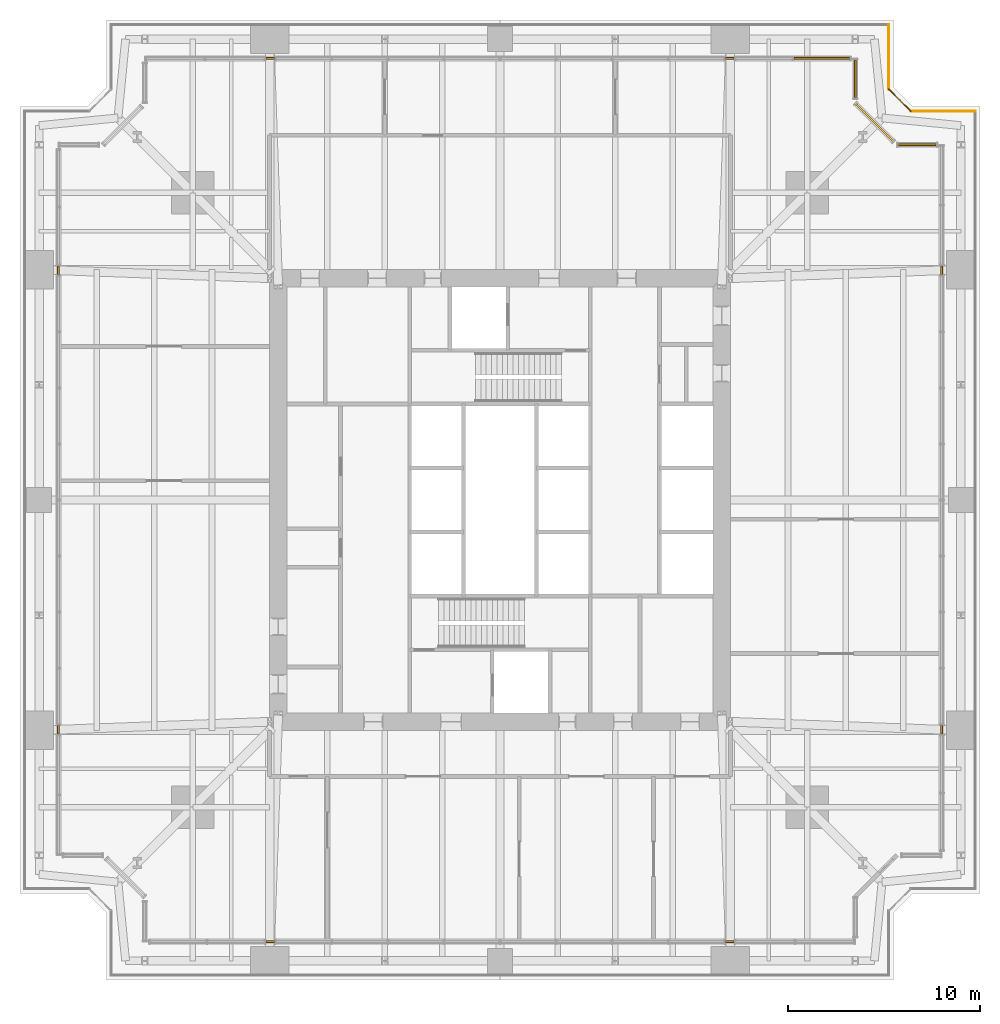
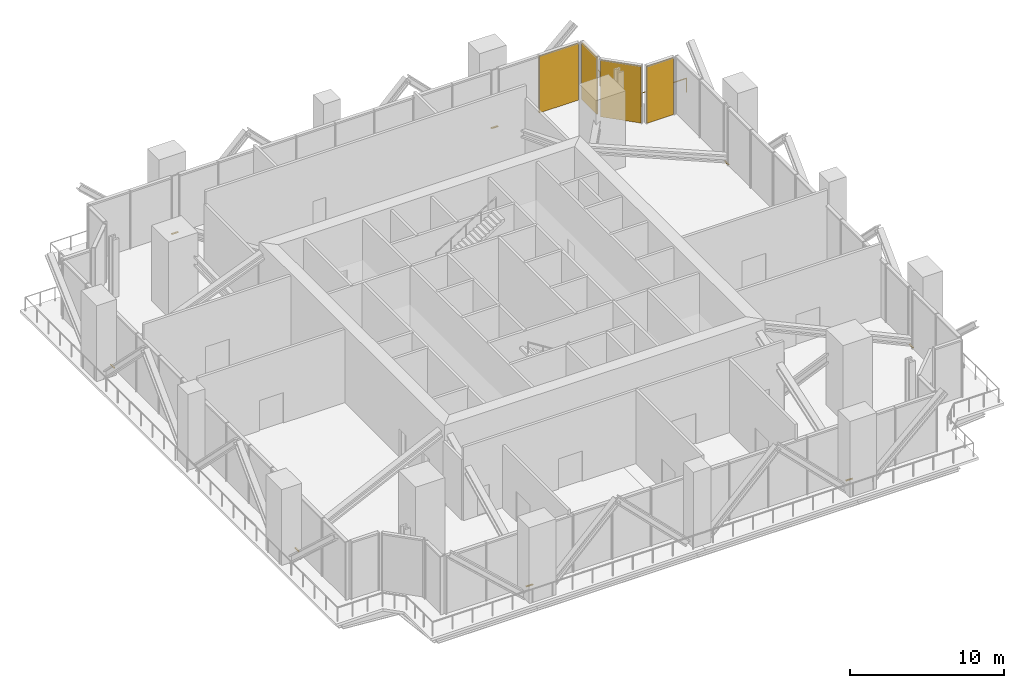
# One storey, part 14 of 14: 8 coverings, 4 shading devices, 3 railings, 4 elements without a shape of their own.
"""IFC4 building model written with IfcOpenShell, lengths in metres."""

from ifc_helpers import new_model, si_unit, direction, frame, origin, origin_2d, place, context, subcontext, project, spatial, rectangle, circle, extrude, material, layer, layer_set, type_object, element, aggregate, save


model = new_model("IFC4")

# Units and contexts
model_context = context("Model", 3, precision=1e-05, world=origin(), true_north=direction((0.0, 1.0)))
body_context = subcontext(model_context, "Body", "Model", "MODEL_VIEW")
ifc_project = project(units=[si_unit("LENGTHUNIT", "METRE"), si_unit("AREAUNIT", "SQUARE_METRE"), si_unit("VOLUMEUNIT", "CUBIC_METRE"), si_unit("PLANEANGLEUNIT", "RADIAN"), si_unit("MASSUNIT", "GRAM", prefix="KILO")], contexts=[model_context])

# Site, building, storey
site_placement = place(None, origin())
site = spatial("IfcSite", under=ifc_project, at=site_placement, CompositionType="ELEMENT")
building_placement = place(site_placement, origin())
building = spatial("IfcBuilding", under=site, at=building_placement, Name="Fenwick Lantern Interchange", CompositionType="ELEMENT")
storey_placement = place(building_placement, frame((0.0, 0.0, 162.39990234375)))
storey = spatial("IfcBuildingStorey", under=building, at=storey_placement, Name="L38", CompositionType="ELEMENT", Elevation=162.39990234375)

# Coverings
ifc_material_1 = material(Name="Insulated aluminium closure panel", Category="aluminium")
ifc_layer_1 = layer(ifc_material_1, 0.10009765625)
ifc_layer_set_1 = layer_set([ifc_layer_1], Name="LOUVRE SCREEN CLOSURE PANEL 100")
covering_type = type_object("IfcCoveringType", Name="LOUVRE SCREEN CLOSURE PANEL 100", PredefinedType="CLADDING", material=ifc_layer_set_1)
for number, where, z_axis, x_axis, name in (
    (1, (48.0, 13.03759765625, 0.0), (0.0, 0.0, 1.0), (0.0, 1.0, 0.0), "Louvre screen closure panel 04-1"),
    (2, (48.0, 36.96240234375, 0.0), (0.0, 0.0, 1.0), (0.0, 1.0, 0.0), "Louvre screen closure panel 04-2"),
):
    element("IfcCovering", number, at=place(storey_placement, frame(where, z_axis=z_axis, x_axis=x_axis)), inside=storey, type_object=covering_type, Name=name, PredefinedType="CLADDING", context=body_context, shape_type="SweptSolid", body=[
        extrude(rectangle(XDim=0.484375, YDim=0.10009765625, at=origin_2d()), origin(), (0.0, 0.0, 1.0), 0.060302734375),
    ])
for number, where, z_axis, x_axis, name in (
    (3, (36.965087890625, 48.0, 0.0), (0.0, 0.0, 1.0), (-1.0, 0.0, 0.0), "Louvre screen closure panel 08-1"),
    (4, (13.034912109375, 48.0, 0.0), (0.0, 0.0, 1.0), (-1.0, 0.0, 0.0), "Louvre screen closure panel 08-2"),
):
    element("IfcCovering", number, at=place(storey_placement, frame(where, z_axis=z_axis, x_axis=x_axis)), inside=storey, type_object=covering_type, Name=name, PredefinedType="CLADDING", context=body_context, shape_type="SweptSolid", body=[
        extrude(rectangle(XDim=0.483642578125, YDim=0.10009765625, at=origin_2d()), origin(), (0.0, 0.0, 1.0), 0.038818359375),
    ])
for number, where, z_axis, x_axis, name in (
    (5, (2.0, 36.96240234375, 0.0), (0.0, 0.0, 1.0), (0.0, -1.0, 0.0), "Louvre screen closure panel 12-1"),
    (6, (2.0, 13.03759765625, 0.0), (0.0, 0.0, 1.0), (0.0, -1.0, 0.0), "Louvre screen closure panel 12-2"),
):
    element("IfcCovering", number, at=place(storey_placement, frame(where, z_axis=z_axis, x_axis=x_axis)), inside=storey, type_object=covering_type, Name=name, PredefinedType="CLADDING", context=body_context, shape_type="SweptSolid", body=[
        extrude(rectangle(XDim=0.484375, YDim=0.10009765625, at=origin_2d()), origin(), (0.0, 0.0, 1.0), 0.060302734375),
    ])
for number, where, z_axis, x_axis, name in (
    (7, (13.034912109375, 2.0, 0.0), (0.0, 0.0, 1.0), (1.0, 0.0, 0.0), "Louvre screen closure panel 16-1"),
    (8, (36.965087890625, 2.0, 0.0), (0.0, 0.0, 1.0), (1.0, 0.0, 0.0), "Louvre screen closure panel 16-2"),
):
    element("IfcCovering", number, at=place(storey_placement, frame(where, z_axis=z_axis, x_axis=x_axis)), inside=storey, type_object=covering_type, Name=name, PredefinedType="CLADDING", context=body_context, shape_type="SweptSolid", body=[
        extrude(rectangle(XDim=0.483642578125, YDim=0.10009765625, at=origin_2d()), origin(), (0.0, 0.0, 1.0), 0.038818359375),
    ])

# Railings
ifc_material_2 = material(Name="Galvanised steel guard", Category="steel")
railing_type = type_object("IfcRailingType", Name="MAINTENANCE LEDGE GUARD 1100", PredefinedType="GUARDRAIL", material=ifc_material_2)
railing_1_placement = place(storey_placement, frame((49.75, 45.25, 0.0)))
element("IfcRailing", 9, at=railing_1_placement, inside=storey, type_object=railing_type, Name="L38/GR/LEDGE06", PredefinedType="GUARDRAIL", context=body_context, shape_type="SweptSolid", body=[
    extrude(circle(Radius=0.02392578125, at=origin_2d()), frame((0.0, 0.0, 1.076171875), z_axis=(-1.0, 0.0, 0.0), x_axis=(0.0, -1.0, 0.0)), (0.0, 0.0, 1.0), 3.353515625),
    extrude(circle(Radius=0.02099609375, at=origin_2d()), origin(), (0.0, 0.0, 1.0), 1.052001953125),
    extrude(circle(Radius=0.02099609375, at=origin_2d()), frame((-1.117919921875, 0.0, 0.0)), (0.0, 0.0, 1.0), 1.052001953125),
    extrude(circle(Radius=0.02099609375, at=origin_2d()), frame((-2.235595703125, 0.0, 0.0)), (0.0, 0.0, 1.0), 1.052001953125),
    extrude(circle(Radius=0.02099609375, at=origin_2d()), frame((-3.353515625, 0.0, 0.0)), (0.0, 0.0, 1.0), 1.052001953125),
])
railing_2_placement = place(storey_placement, frame((46.396484375, 45.25, 0.0)))
element("IfcRailing", 10, at=railing_2_placement, inside=storey, type_object=railing_type, Name="L38/GR/LEDGE07", PredefinedType="GUARDRAIL", context=body_context, shape_type="SweptSolid", body=[
    extrude(circle(Radius=0.02392578125, at=origin_2d()), frame((0.0, 0.0, 1.076171875), z_axis=(-0.707106781187, 0.707106781187, 0.0), x_axis=(-0.707106781187, -0.707106781187, 0.0)), (0.0, 0.0, 1.0), 1.621337890625),
    extrude(circle(Radius=0.02099609375, at=origin_2d()), origin(), (0.0, 0.0, 1.0), 1.052001953125),
    extrude(circle(Radius=0.02099609375, at=origin_2d()), frame((-0.5732421875, 0.5732421875, 0.0)), (0.0, 0.0, 1.0), 1.052001953125),
    extrude(circle(Radius=0.02099609375, at=origin_2d()), frame((-1.146484375, 1.146484375, 0.0)), (0.0, 0.0, 1.0), 1.052001953125),
])
railing_3_placement = place(storey_placement, frame((45.25, 46.396484375, 0.0)))
element("IfcRailing", 11, at=railing_3_placement, inside=storey, type_object=railing_type, Name="L38/GR/LEDGE08", PredefinedType="GUARDRAIL", context=body_context, shape_type="SweptSolid", body=[
    extrude(circle(Radius=0.02392578125, at=origin_2d()), frame((0.0, 0.0, 1.076171875), z_axis=(0.0, 1.0, 0.0), x_axis=(-1.0, 0.0, 0.0)), (0.0, 0.0, 1.0), 3.353515625),
    extrude(circle(Radius=0.02099609375, at=origin_2d()), origin(), (0.0, 0.0, 1.0), 1.052001953125),
    extrude(circle(Radius=0.02099609375, at=origin_2d()), frame((0.0, 1.117919921875, 0.0)), (0.0, 0.0, 1.0), 1.052001953125),
    extrude(circle(Radius=0.02099609375, at=origin_2d()), frame((0.0, 2.235595703125, 0.0)), (0.0, 0.0, 1.0), 1.052001953125),
    extrude(circle(Radius=0.02099609375, at=origin_2d()), frame((0.0, 3.353515625, 0.0)), (0.0, 0.0, 1.0), 1.052001953125),
])

# Curtain wall, shading device
ifc_material_3 = material(Name="Aluminium curtain wall frame", Category="aluminium")
curtain_wall_type = type_object("IfcCurtainWallType", Name="PLANT LOUVRE SCREEN", PredefinedType="USERDEFINED", material=ifc_material_3)
curtain_wall_1_placement = place(storey_placement, origin())
curtain_wall_1 = element("IfcCurtainWall", 12, at=curtain_wall_1_placement, inside=storey, type_object=curtain_wall_type, Name="Plant louvre screen 05", ObjectType="PLANT LOUVRE SCREEN", PredefinedType="USERDEFINED")
ifc_material_4 = material(Name="Louvre panel, anodised aluminium blades", Category="aluminium")
ifc_layer_2 = layer(ifc_material_4, 0.10009765625)
ifc_layer_set_2 = layer_set([ifc_layer_2], Name="PLANT LOUVRE SCREEN PANEL 100")
shading_device_type = type_object("IfcShadingDeviceType", Name="PLANT LOUVRE SCREEN PANEL 100", PredefinedType="SHUTTER", material=ifc_layer_set_2)
shading_device_1_placement = place(storey_placement, frame((46.73583984375, 43.5, 0.0), z_axis=(0.0, 0.0, 1.0), x_axis=(-1.0, 0.0, 0.0)))
shading_device_1 = element("IfcShadingDevice", 13, at=shading_device_1_placement, type_object=shading_device_type, Name="L38/CW/05/P00", PredefinedType="SHUTTER", context=body_context, shape_type="SweptSolid", body=[
    extrude(rectangle(XDim=1.978515625, YDim=0.10009765625, at=origin_2d()), origin(), (0.0, 0.0, 1.0), 4.47998046875),
])
aggregate(curtain_wall_1, [shading_device_1])

curtain_wall_2_placement = place(storey_placement, origin())
curtain_wall_2 = element("IfcCurtainWall", 14, at=curtain_wall_2_placement, inside=storey, type_object=curtain_wall_type, Name="Plant louvre screen 06", ObjectType="PLANT LOUVRE SCREEN", PredefinedType="USERDEFINED")
shading_device_2_placement = place(storey_placement, frame((44.51513671875, 44.656494140625, 0.0), z_axis=(0.0, 0.0, 1.0), x_axis=(-0.707106781187, 0.707106781187, 0.0)))
shading_device_2 = element("IfcShadingDevice", 15, at=shading_device_2_placement, type_object=shading_device_type, Name="L38/CW/06/P00", PredefinedType="SHUTTER", context=body_context, shape_type="SweptSolid", body=[
    extrude(rectangle(XDim=2.720947265625, YDim=0.10009765625, at=origin_2d()), origin(), (0.0, 0.0, 1.0), 4.47998046875),
])
aggregate(curtain_wall_2, [shading_device_2])

curtain_wall_3_placement = place(storey_placement, origin())
curtain_wall_3 = element("IfcCurtainWall", 16, at=curtain_wall_3_placement, inside=storey, type_object=curtain_wall_type, Name="Plant louvre screen 07", ObjectType="PLANT LOUVRE SCREEN", PredefinedType="USERDEFINED")
shading_device_3_placement = place(storey_placement, frame((43.5, 46.935791015625, 0.0), z_axis=(0.0, 0.0, 1.0), x_axis=(0.0, 1.0, 0.0)))
shading_device_3 = element("IfcShadingDevice", 17, at=shading_device_3_placement, type_object=shading_device_type, Name="L38/CW/07/P00", PredefinedType="SHUTTER", context=body_context, shape_type="SweptSolid", body=[
    extrude(rectangle(XDim=1.978515625, YDim=0.10009765625, at=origin_2d()), origin(), (0.0, 0.0, 1.0), 4.47998046875),
])
aggregate(curtain_wall_3, [shading_device_3])

curtain_wall_4_placement = place(storey_placement, origin())
curtain_wall_4 = element("IfcCurtainWall", 18, at=curtain_wall_4_placement, inside=storey, type_object=curtain_wall_type, Name="Plant louvre screen 08A", ObjectType="PLANT LOUVRE SCREEN", PredefinedType="USERDEFINED")
shading_device_4_placement = place(storey_placement, frame((41.758056640625, 48.0, 0.0), z_axis=(0.0, 0.0, 1.0), x_axis=(-1.0, 0.0, 0.0)))
shading_device_4 = element("IfcShadingDevice", 19, at=shading_device_4_placement, type_object=shading_device_type, Name="L38/CW/08A/P00", PredefinedType="SHUTTER", context=body_context, shape_type="SweptSolid", body=[
    extrude(rectangle(XDim=2.93408203125, YDim=0.10009765625, at=origin_2d()), origin(), (0.0, 0.0, 1.0), 4.47998046875),
])
aggregate(curtain_wall_4, [shading_device_4])

save(model, "model.ifc")
